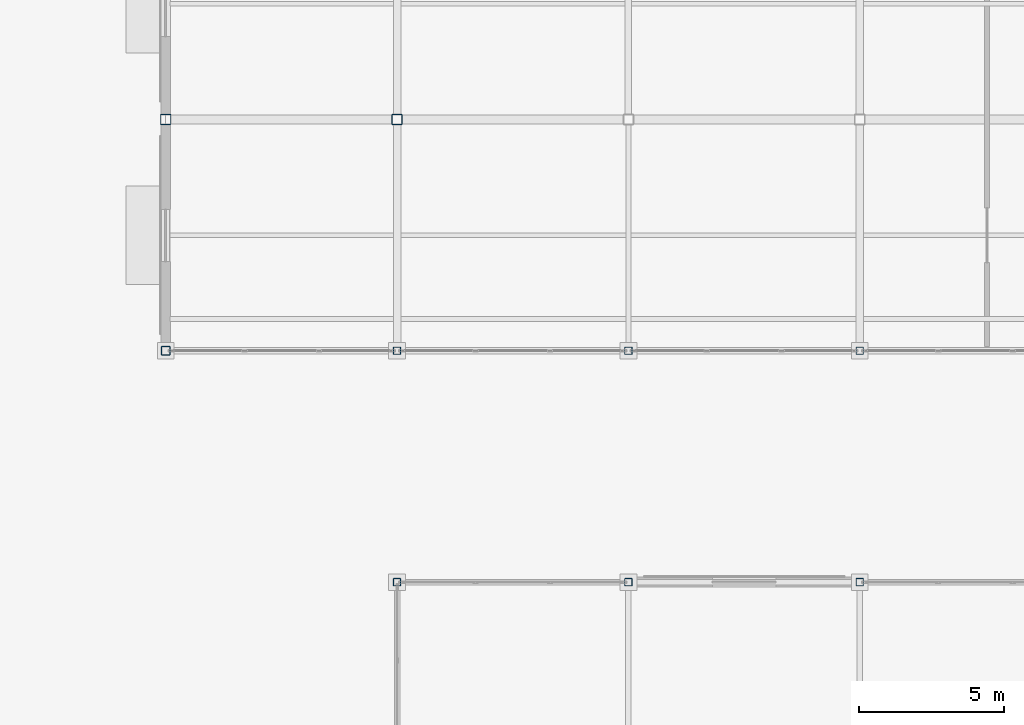
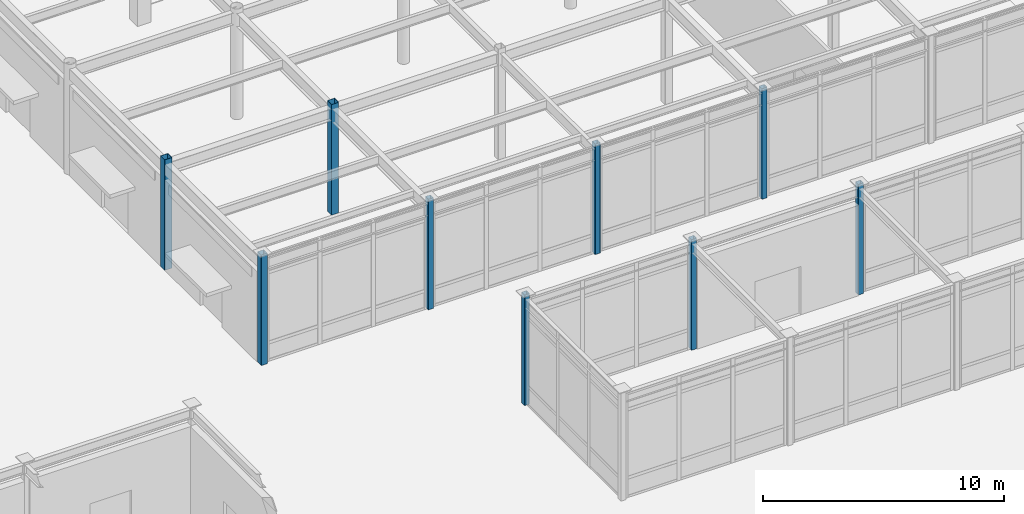
# One storey, part 14 of 128: 9 columns.
"""IFC4 building model written with IfcOpenShell, lengths in metres."""

from ifc_helpers import new_model, si_unit, direction, frame, origin, origin_2d, place, context, subcontext, project, spatial, hollow_rectangle, extrude, material, material_profile, profile_set, type_object, element, save


model = new_model("IFC4")

# Units and contexts
model_context = context("Model", 3, precision=1e-05, world=origin(), true_north=direction((0.0, 1.0)))
body_context = subcontext(model_context, "Body", "Model", "MODEL_VIEW")
ifc_project = project(units=[si_unit("LENGTHUNIT", "METRE"), si_unit("AREAUNIT", "SQUARE_METRE"), si_unit("VOLUMEUNIT", "CUBIC_METRE"), si_unit("PLANEANGLEUNIT", "RADIAN"), si_unit("MASSUNIT", "GRAM", prefix="KILO")], contexts=[model_context])

# Site, building, storey
site_placement = place(None, origin())
site = spatial("IfcSite", under=ifc_project, at=site_placement, CompositionType="ELEMENT")
building_placement = place(site_placement, origin())
building = spatial("IfcBuilding", under=site, at=building_placement, Name="Solmirada Galleria", CompositionType="ELEMENT")
storey_placement = place(building_placement, origin())
storey = spatial("IfcBuildingStorey", under=building, at=storey_placement, Name="L00", CompositionType="ELEMENT", Elevation=0.0)

# Columns
ifc_material = material(Name="Steel S355 / ASTM A500 Grade C", Category="steel")
ifc_material_profile_1 = material_profile(ifc_material, hollow_rectangle(XDim=0.25390625, YDim=0.25390625, WallThickness=0.0087890625, InnerFilletRadius=0.0087890625, OuterFilletRadius=0.017822265625, at=origin_2d()), Name="HSS10X10X3/8")
ifc_profile_set_1 = profile_set([ifc_material_profile_1], Name="Steel S355 / ASTM A500 Grade C")
column_type_1 = type_object("IfcColumnType", Name="COL-HSS10", PredefinedType="COLUMN", material=ifc_profile_set_1)
for number, where, z_axis, x_axis, name in (
    (1, (48.0, 64.0, 0.0), (0.0, 0.0, 1.0), (1.0, 0.0, 0.0), "Structural column L00-0105"),
    (2, (48.0, 72.0, 0.0), (0.0, 0.0, 1.0), (1.0, 0.0, 0.0), "Structural column L00-0107"),
    (3, (56.0, 64.0, 0.0), (0.0, 0.0, 1.0), (1.0, 0.0, 0.0), "Structural column L00-0172"),
    (4, (56.0, 72.0, 0.0), (0.0, 0.0, 1.0), (1.0, 0.0, 0.0), "Structural column L00-0174"),
    (5, (64.0, 64.0, 0.0), (0.0, 0.0, 1.0), (1.0, 0.0, 0.0), "Structural column L00-0236"),
    (6, (64.0, 72.0, 0.0), (0.0, 0.0, 1.0), (1.0, 0.0, 0.0), "Structural column L00-0238"),
):
    element("IfcColumn", number, at=place(storey_placement, frame(where, z_axis=z_axis, x_axis=x_axis)), inside=storey, type_object=column_type_1, Name=name, PredefinedType="COLUMN", context=body_context, shape_type="SweptSolid", body=[
        extrude(hollow_rectangle(XDim=0.25390625, YDim=0.25390625, WallThickness=0.0087890625, InnerFilletRadius=0.0087890625, OuterFilletRadius=0.017822265625, at=origin_2d()), origin(), (0.0, 0.0, 1.0), 5.60009765625),
    ])
ifc_material_profile_2 = material_profile(ifc_material, hollow_rectangle(XDim=0.304931640625, YDim=0.304931640625, WallThickness=0.01171875, InnerFilletRadius=0.01171875, OuterFilletRadius=0.023681640625, at=origin_2d()), Name="HSS12X12X1/2")
ifc_profile_set_2 = profile_set([ifc_material_profile_2], Name="Steel S355 / ASTM A500 Grade C")
column_type_2 = type_object("IfcColumnType", Name="COL-HSS12", PredefinedType="COLUMN", material=ifc_profile_set_2)
column_placement = place(storey_placement, frame((40.0, 72.0, 0.0), z_axis=(0.0, 0.0, 1.0), x_axis=(1.0, 0.0, 0.0)))
element("IfcColumn", 7, at=column_placement, inside=storey, type_object=column_type_2, Name="Structural column L00-0040", PredefinedType="COLUMN", context=body_context, shape_type="SweptSolid", body=[
    extrude(hollow_rectangle(XDim=0.304931640625, YDim=0.304931640625, WallThickness=0.01171875, InnerFilletRadius=0.01171875, OuterFilletRadius=0.023681640625, at=origin_2d()), origin(), (0.0, 0.0, 1.0), 5.60009765625),
])
ifc_material_profile_3 = material_profile(ifc_material, hollow_rectangle(XDim=0.35595703125, YDim=0.35595703125, WallThickness=0.01171875, InnerFilletRadius=0.01171875, OuterFilletRadius=0.023681640625, at=origin_2d()), Name="HSS14X14X1/2")
ifc_profile_set_3 = profile_set([ifc_material_profile_3], Name="Steel S355 / ASTM A500 Grade C")
column_type_3 = type_object("IfcColumnType", Name="COL-HSS14", PredefinedType="COLUMN", material=ifc_profile_set_3)
for number, where, z_axis, x_axis, name in (
    (8, (40.0, 80.0, 0.0), (0.0, 0.0, 1.0), (1.0, 0.0, 0.0), "Structural column L00-0042"),
    (9, (48.0, 80.0, 0.0), (0.0, 0.0, 1.0), (1.0, 0.0, 0.0), "Structural column L00-0109"),
):
    element("IfcColumn", number, at=place(storey_placement, frame(where, z_axis=z_axis, x_axis=x_axis)), inside=storey, type_object=column_type_3, Name=name, PredefinedType="COLUMN", context=body_context, shape_type="SweptSolid", body=[
        extrude(hollow_rectangle(XDim=0.35595703125, YDim=0.35595703125, WallThickness=0.01171875, InnerFilletRadius=0.01171875, OuterFilletRadius=0.023681640625, at=origin_2d()), origin(), (0.0, 0.0, 1.0), 5.60009765625),
    ])

save(model, "model.ifc")
